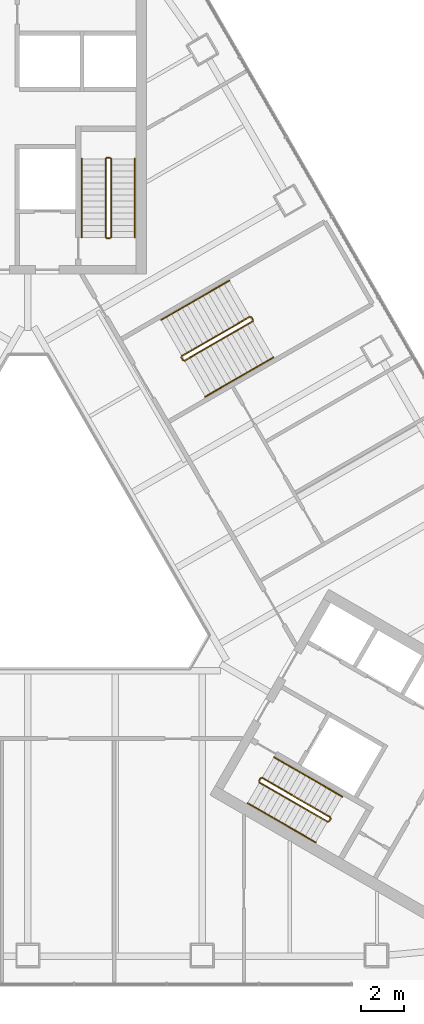
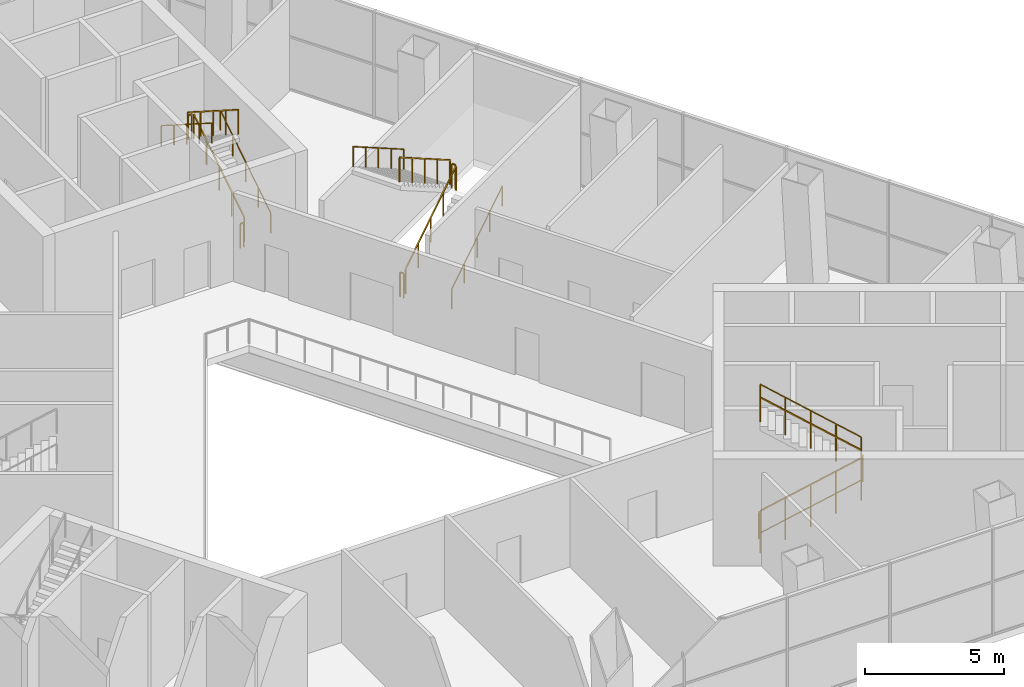
# One storey, part 13 of 13: 18 railings.
"""IFC4 building model written with IfcOpenShell, lengths in metres."""

from ifc_helpers import new_model, si_unit, direction, frame, origin, origin_2d, place, context, subcontext, project, spatial, rectangle, circle, extrude, material, type_object, element, save


model = new_model("IFC4")

# Units and contexts
model_context = context("Model", 3, precision=1e-05, world=origin(), true_north=direction((0.0, 1.0)))
body_context = subcontext(model_context, "Body", "Model", "MODEL_VIEW")
ifc_project = project(units=[si_unit("LENGTHUNIT", "METRE"), si_unit("AREAUNIT", "SQUARE_METRE"), si_unit("VOLUMEUNIT", "CUBIC_METRE"), si_unit("PLANEANGLEUNIT", "RADIAN"), si_unit("MASSUNIT", "GRAM", prefix="KILO")], contexts=[model_context])

# Site, building, storey
site_placement = place(None, origin())
site = spatial("IfcSite", under=ifc_project, at=site_placement, CompositionType="ELEMENT")
building_placement = place(site_placement, origin())
building = spatial("IfcBuilding", under=site, at=building_placement, Name="Apuvela Tower Hotel", CompositionType="ELEMENT")
storey_placement = place(building_placement, frame((0.0, 0.0, 23.5)))
storey = spatial("IfcBuildingStorey", under=building, at=storey_placement, Name="L03", CompositionType="ELEMENT", Elevation=23.5)

# Railings
ifc_material_1 = material(Name="Steel S275 balustrade", Category="steel")
railing_type_1 = type_object("IfcRailingType", Name="COR-GUARD-1100", PredefinedType="GUARDRAIL", material=ifc_material_1)
railing_1_placement = place(storey_placement, frame((3.85009765625, 14.60009765625, 0.178466796875)))
element("IfcRailing", 1, at=railing_1_placement, inside=storey, type_object=railing_type_1, Name="L03 ST1 stair guard 1", PredefinedType="GUARDRAIL", context=body_context, shape_type="SweptSolid", body=[
    extrude(rectangle(XDim=0.048095703125, YDim=0.048095703125, at=origin_2d()), frame((0.0, 0.0, 1.076171875), z_axis=(0.0, 0.843111507901, 0.53773877045), x_axis=(-1.0, 0.0, 0.0)), (0.0, 0.0, 1.0), 4.317138671875),
    extrude(rectangle(XDim=0.0419921875, YDim=0.0419921875, at=origin_2d()), origin(), (0.0, 0.0, 1.0), 1.052001953125),
    extrude(rectangle(XDim=0.0419921875, YDim=0.0419921875, at=origin_2d()), frame((0.0, 0.909912109375, 0.580322265625)), (0.0, 0.0, 1.0), 1.052001953125),
    extrude(rectangle(XDim=0.0419921875, YDim=0.0419921875, at=origin_2d()), frame((0.0, 1.81982421875, 1.16064453125)), (0.0, 0.0, 1.0), 1.052001953125),
    extrude(rectangle(XDim=0.0419921875, YDim=0.0419921875, at=origin_2d()), frame((0.0, 2.72998046875, 1.7412109375)), (0.0, 0.0, 1.0), 1.052001953125),
    extrude(rectangle(XDim=0.0419921875, YDim=0.0419921875, at=origin_2d()), frame((0.0, 3.639892578125, 2.321533203125)), (0.0, 0.0, 1.0), 1.052001953125),
])
railing_2_placement = place(storey_placement, frame((3.800048828125, 18.2900390625, 2.5)))
element("IfcRailing", 2, at=railing_2_placement, inside=storey, type_object=railing_type_1, Name="L03 ST1 stair guard 2", PredefinedType="GUARDRAIL", context=body_context, shape_type="SweptSolid", body=[
    extrude(rectangle(XDim=0.048095703125, YDim=0.048095703125, at=origin_2d()), frame((0.0, 0.0, 1.076171875), z_axis=(-1.0, 0.0, 0.0), x_axis=(0.0, -1.0, 0.0)), (0.0, 0.0, 1.0), 0.150146484375),
    extrude(rectangle(XDim=0.0419921875, YDim=0.0419921875, at=origin_2d()), origin(), (0.0, 0.0, 1.0), 1.052001953125),
    extrude(rectangle(XDim=0.0419921875, YDim=0.0419921875, at=origin_2d()), frame((-0.150146484375, 0.0, 0.0)), (0.0, 0.0, 1.0), 1.052001953125),
])
railing_3_placement = place(storey_placement, frame((3.60009765625, 18.239990234375, 2.678466796875)))
element("IfcRailing", 3, at=railing_3_placement, inside=storey, type_object=railing_type_1, Name="L03 ST1 stair guard 3", PredefinedType="GUARDRAIL", context=body_context, shape_type="SweptSolid", body=[
    extrude(rectangle(XDim=0.048095703125, YDim=0.048095703125, at=origin_2d()), frame((0.0, 0.0, 1.076171875), z_axis=(0.0, -0.843111507901, 0.53773877045), x_axis=(1.0, 0.0, 0.0)), (0.0, 0.0, 1.0), 4.317138671875),
    extrude(rectangle(XDim=0.0419921875, YDim=0.0419921875, at=origin_2d()), origin(), (0.0, 0.0, 1.0), 1.052001953125),
    extrude(rectangle(XDim=0.0419921875, YDim=0.0419921875, at=origin_2d()), frame((0.0, -0.909912109375, 0.580322265625)), (0.0, 0.0, 1.0), 1.052001953125),
    extrude(rectangle(XDim=0.0419921875, YDim=0.0419921875, at=origin_2d()), frame((0.0, -1.81982421875, 1.16064453125)), (0.0, 0.0, 1.0), 1.052001953125),
    extrude(rectangle(XDim=0.0419921875, YDim=0.0419921875, at=origin_2d()), frame((0.0, -2.72998046875, 1.7412109375)), (0.0, 0.0, 1.0), 1.052001953125),
    extrude(rectangle(XDim=0.0419921875, YDim=0.0419921875, at=origin_2d()), frame((0.0, -3.639892578125, 2.321533203125)), (0.0, 0.0, 1.0), 1.052001953125),
])
railing_4_placement = place(storey_placement, frame((3.800048828125, 14.550048828125, 0.0)))
element("IfcRailing", 4, at=railing_4_placement, inside=storey, type_object=railing_type_1, Name="L03 ST1 stair guard 4", PredefinedType="GUARDRAIL", context=body_context, shape_type="SweptSolid", body=[
    extrude(rectangle(XDim=0.048095703125, YDim=0.048095703125, at=origin_2d()), frame((0.0, 0.0, 1.076171875), z_axis=(-1.0, 0.0, 0.0), x_axis=(0.0, -1.0, 0.0)), (0.0, 0.0, 1.0), 0.150146484375),
    extrude(rectangle(XDim=0.0419921875, YDim=0.0419921875, at=origin_2d()), origin(), (0.0, 0.0, 1.0), 1.052001953125),
    extrude(rectangle(XDim=0.0419921875, YDim=0.0419921875, at=origin_2d()), frame((-0.150146484375, 0.0, 0.0)), (0.0, 0.0, 1.0), 1.052001953125),
])
railing_5_placement = place(storey_placement, frame((10.718994140625, -10.63427734375, 0.178466796875)))
element("IfcRailing", 5, at=railing_5_placement, inside=storey, type_object=railing_type_1, Name="L03 ST3 stair guard 1", PredefinedType="GUARDRAIL", context=body_context, shape_type="SweptSolid", body=[
    extrude(rectangle(XDim=0.048095703125, YDim=0.048095703125, at=origin_2d()), frame((0.0, 0.0, 1.076171875), z_axis=(0.730175966949, -0.421525066422, 0.537735693132), x_axis=(0.499962438169, 0.866047089031, 0.0)), (0.0, 0.0, 1.0), 4.317138671875),
    extrude(rectangle(XDim=0.0419921875, YDim=0.0419921875, at=origin_2d()), origin(), (0.0, 0.0, 1.0), 1.052001953125),
    extrude(rectangle(XDim=0.0419921875, YDim=0.0419921875, at=origin_2d()), frame((0.7880859375, -0.455078125, 0.580322265625)), (0.0, 0.0, 1.0), 1.052001953125),
    extrude(rectangle(XDim=0.0419921875, YDim=0.0419921875, at=origin_2d()), frame((1.576171875, -0.909912109375, 1.16064453125)), (0.0, 0.0, 1.0), 1.052001953125),
    extrude(rectangle(XDim=0.0419921875, YDim=0.0419921875, at=origin_2d()), frame((2.3642578125, -1.36474609375, 1.7412109375)), (0.0, 0.0, 1.0), 1.052001953125),
    extrude(rectangle(XDim=0.0419921875, YDim=0.0419921875, at=origin_2d()), frame((3.15234375, -1.81982421875, 2.321533203125)), (0.0, 0.0, 1.0), 1.052001953125),
])
railing_6_placement = place(storey_placement, frame((13.939697265625, -12.435791015625, 2.5)))
element("IfcRailing", 6, at=railing_6_placement, inside=storey, type_object=railing_type_1, Name="L03 ST3 stair guard 2", PredefinedType="GUARDRAIL", context=body_context, shape_type="SweptSolid", body=[
    extrude(rectangle(XDim=0.048095703125, YDim=0.048095703125, at=origin_2d()), frame((0.0, 0.0, 1.076171875), z_axis=(0.499816412211, 0.866131372301, 0.0), x_axis=(-0.866131372301, 0.499816412211, 0.0)), (0.0, 0.0, 1.0), 0.14990234375),
    extrude(rectangle(XDim=0.0419921875, YDim=0.0419921875, at=origin_2d()), origin(), (0.0, 0.0, 1.0), 1.052001953125),
    extrude(rectangle(XDim=0.0419921875, YDim=0.0419921875, at=origin_2d()), frame((0.074951171875, 0.1298828125, 0.0)), (0.0, 0.0, 1.0), 1.052001953125),
])
railing_7_placement = place(storey_placement, frame((13.996337890625, -12.23779296875, 2.678466796875)))
element("IfcRailing", 7, at=railing_7_placement, inside=storey, type_object=railing_type_1, Name="L03 ST3 stair guard 3", PredefinedType="GUARDRAIL", context=body_context, shape_type="SweptSolid", body=[
    extrude(rectangle(XDim=0.048095703125, YDim=0.048095703125, at=origin_2d()), frame((0.0, 0.0, 1.076171875), z_axis=(-0.730158560966, 0.421571566915, 0.537722874553), x_axis=(-0.500012742938, -0.866018046521, 0.0)), (0.0, 0.0, 1.0), 4.3173828125),
    extrude(rectangle(XDim=0.0419921875, YDim=0.0419921875, at=origin_2d()), origin(), (0.0, 0.0, 1.0), 1.052001953125),
    extrude(rectangle(XDim=0.0419921875, YDim=0.0419921875, at=origin_2d()), frame((-0.7880859375, 0.455078125, 0.580322265625)), (0.0, 0.0, 1.0), 1.052001953125),
    extrude(rectangle(XDim=0.0419921875, YDim=0.0419921875, at=origin_2d()), frame((-1.576171875, 0.91015625, 1.16064453125)), (0.0, 0.0, 1.0), 1.052001953125),
    extrude(rectangle(XDim=0.0419921875, YDim=0.0419921875, at=origin_2d()), frame((-2.3642578125, 1.364990234375, 1.7412109375)), (0.0, 0.0, 1.0), 1.052001953125),
    extrude(rectangle(XDim=0.0419921875, YDim=0.0419921875, at=origin_2d()), frame((-3.15234375, 1.820068359375, 2.321533203125)), (0.0, 0.0, 1.0), 1.052001953125),
])
railing_8_placement = place(storey_placement, frame((10.70068359375, -10.56591796875, 0.0)))
element("IfcRailing", 8, at=railing_8_placement, inside=storey, type_object=railing_type_1, Name="L03 ST3 stair guard 4", PredefinedType="GUARDRAIL", context=body_context, shape_type="SweptSolid", body=[
    extrude(rectangle(XDim=0.048095703125, YDim=0.048095703125, at=origin_2d()), frame((0.0, 0.0, 1.076171875), z_axis=(0.499816412211, 0.866131372301, 0.0), x_axis=(-0.866131372301, 0.499816412211, 0.0)), (0.0, 0.0, 1.0), 0.14990234375),
    extrude(rectangle(XDim=0.0419921875, YDim=0.0419921875, at=origin_2d()), origin(), (0.0, 0.0, 1.0), 1.052001953125),
    extrude(rectangle(XDim=0.0419921875, YDim=0.0419921875, at=origin_2d()), frame((0.074951171875, 0.1298828125, 0.0)), (0.0, 0.0, 1.0), 1.052001953125),
])
ifc_material_2 = material(Name="Stainless steel 316 handrail", Category="steel")
railing_type_2 = type_object("IfcRailingType", Name="COR-HANDRAIL-900", PredefinedType="HANDRAIL", material=ifc_material_2)
railing_9_placement = place(storey_placement, frame((4.949951171875, 14.60009765625, 0.178466796875)))
element("IfcRailing", 9, at=railing_9_placement, inside=storey, type_object=railing_type_2, Name="L03 ST1 stair handrail 1", PredefinedType="HANDRAIL", context=body_context, shape_type="SweptSolid", body=[
    extrude(circle(Radius=0.02392578125, at=origin_2d()), frame((0.0, 0.0, 0.8759765625), z_axis=(0.0, 0.843111507901, 0.53773877045), x_axis=(-1.0, 0.0, 0.0)), (0.0, 0.0, 1.0), 4.317138671875),
    extrude(rectangle(XDim=0.0419921875, YDim=0.0419921875, at=origin_2d()), origin(), (0.0, 0.0, 1.0), 0.851806640625),
    extrude(rectangle(XDim=0.0419921875, YDim=0.0419921875, at=origin_2d()), frame((0.0, 0.909912109375, 0.580322265625)), (0.0, 0.0, 1.0), 0.851806640625),
    extrude(rectangle(XDim=0.0419921875, YDim=0.0419921875, at=origin_2d()), frame((0.0, 1.81982421875, 1.16064453125)), (0.0, 0.0, 1.0), 0.851806640625),
    extrude(rectangle(XDim=0.0419921875, YDim=0.0419921875, at=origin_2d()), frame((0.0, 2.72998046875, 1.7412109375)), (0.0, 0.0, 1.0), 0.851806640625),
    extrude(rectangle(XDim=0.0419921875, YDim=0.0419921875, at=origin_2d()), frame((0.0, 3.639892578125, 2.321533203125)), (0.0, 0.0, 1.0), 0.851806640625),
])
railing_10_placement = place(storey_placement, frame((2.5, 18.239990234375, 2.678466796875)))
element("IfcRailing", 10, at=railing_10_placement, inside=storey, type_object=railing_type_2, Name="L03 ST1 stair handrail 2", PredefinedType="HANDRAIL", context=body_context, shape_type="SweptSolid", body=[
    extrude(circle(Radius=0.02392578125, at=origin_2d()), frame((0.0, 0.0, 0.8759765625), z_axis=(0.0, -0.843111507901, 0.53773877045), x_axis=(1.0, 0.0, 0.0)), (0.0, 0.0, 1.0), 4.317138671875),
    extrude(rectangle(XDim=0.0419921875, YDim=0.0419921875, at=origin_2d()), origin(), (0.0, 0.0, 1.0), 0.851806640625),
    extrude(rectangle(XDim=0.0419921875, YDim=0.0419921875, at=origin_2d()), frame((0.0, -0.909912109375, 0.580322265625)), (0.0, 0.0, 1.0), 0.851806640625),
    extrude(rectangle(XDim=0.0419921875, YDim=0.0419921875, at=origin_2d()), frame((0.0, -1.81982421875, 1.16064453125)), (0.0, 0.0, 1.0), 0.851806640625),
    extrude(rectangle(XDim=0.0419921875, YDim=0.0419921875, at=origin_2d()), frame((0.0, -2.72998046875, 1.7412109375)), (0.0, 0.0, 1.0), 0.851806640625),
    extrude(rectangle(XDim=0.0419921875, YDim=0.0419921875, at=origin_2d()), frame((0.0, -3.639892578125, 2.321533203125)), (0.0, 0.0, 1.0), 0.851806640625),
])
railing_11_placement = place(storey_placement, frame((10.1689453125, -11.5869140625, 0.178466796875)))
element("IfcRailing", 11, at=railing_11_placement, inside=storey, type_object=railing_type_2, Name="L03 ST3 stair handrail 1", PredefinedType="HANDRAIL", context=body_context, shape_type="SweptSolid", body=[
    extrude(circle(Radius=0.02392578125, at=origin_2d()), frame((0.0, 0.0, 0.8759765625), z_axis=(0.730175966949, -0.421525066422, 0.537735693132), x_axis=(0.499962438169, 0.866047089031, 0.0)), (0.0, 0.0, 1.0), 4.317138671875),
    extrude(rectangle(XDim=0.0419921875, YDim=0.0419921875, at=origin_2d()), origin(), (0.0, 0.0, 1.0), 0.851806640625),
    extrude(rectangle(XDim=0.0419921875, YDim=0.0419921875, at=origin_2d()), frame((0.7880859375, -0.455078125, 0.580322265625)), (0.0, 0.0, 1.0), 0.851806640625),
    extrude(rectangle(XDim=0.0419921875, YDim=0.0419921875, at=origin_2d()), frame((1.576171875, -0.909912109375, 1.16064453125)), (0.0, 0.0, 1.0), 0.851806640625),
    extrude(rectangle(XDim=0.0419921875, YDim=0.0419921875, at=origin_2d()), frame((2.3642578125, -1.36474609375, 1.7412109375)), (0.0, 0.0, 1.0), 0.851806640625),
    extrude(rectangle(XDim=0.0419921875, YDim=0.0419921875, at=origin_2d()), frame((3.15234375, -1.81982421875, 2.321533203125)), (0.0, 0.0, 1.0), 0.851806640625),
])
railing_12_placement = place(storey_placement, frame((14.54638671875, -11.28515625, 2.678466796875)))
element("IfcRailing", 12, at=railing_12_placement, inside=storey, type_object=railing_type_2, Name="L03 ST3 stair handrail 2", PredefinedType="HANDRAIL", context=body_context, shape_type="SweptSolid", body=[
    extrude(circle(Radius=0.02392578125, at=origin_2d()), frame((0.0, 0.0, 0.8759765625), z_axis=(-0.730158560966, 0.421571566915, 0.537722874553), x_axis=(-0.500012742938, -0.866018046521, 0.0)), (0.0, 0.0, 1.0), 4.3173828125),
    extrude(rectangle(XDim=0.0419921875, YDim=0.0419921875, at=origin_2d()), origin(), (0.0, 0.0, 1.0), 0.851806640625),
    extrude(rectangle(XDim=0.0419921875, YDim=0.0419921875, at=origin_2d()), frame((-0.7880859375, 0.455078125, 0.580322265625)), (0.0, 0.0, 1.0), 0.851806640625),
    extrude(rectangle(XDim=0.0419921875, YDim=0.0419921875, at=origin_2d()), frame((-1.576171875, 0.91015625, 1.16064453125)), (0.0, 0.0, 1.0), 0.851806640625),
    extrude(rectangle(XDim=0.0419921875, YDim=0.0419921875, at=origin_2d()), frame((-2.3642578125, 1.364990234375, 1.7412109375)), (0.0, 0.0, 1.0), 0.851806640625),
    extrude(rectangle(XDim=0.0419921875, YDim=0.0419921875, at=origin_2d()), frame((-3.15234375, 1.820068359375, 2.321533203125)), (0.0, 0.0, 1.0), 0.851806640625),
])
ifc_material_3 = material(Name="Steel S355 guard with laminated glass infill", Category="steel")
railing_type_3 = type_object("IfcRailingType", Name="SPC-GUARD-1100", PredefinedType="GUARDRAIL", material=ifc_material_3)
railing_13_placement = place(storey_placement, frame((7.250732421875, 8.8916015625, 0.178466796875)))
element("IfcRailing", 13, at=railing_13_placement, inside=storey, type_object=railing_type_3, Name="L03 PS1 stair guard 1", PredefinedType="GUARDRAIL", context=body_context, shape_type="SweptSolid", body=[
    extrude(rectangle(XDim=0.048095703125, YDim=0.048095703125, at=origin_2d()), frame((0.0, 0.0, 1.076171875), z_axis=(0.730158560966, 0.421571566915, 0.537722874553), x_axis=(-0.500012742938, 0.866018046521, 0.0)), (0.0, 0.0, 1.0), 4.3173828125),
    extrude(rectangle(XDim=0.0419921875, YDim=0.0419921875, at=origin_2d()), origin(), (0.0, 0.0, 1.0), 1.052001953125),
    extrude(rectangle(XDim=0.0419921875, YDim=0.0419921875, at=origin_2d()), frame((0.7880859375, 0.455078125, 0.580322265625)), (0.0, 0.0, 1.0), 1.052001953125),
    extrude(rectangle(XDim=0.0419921875, YDim=0.0419921875, at=origin_2d()), frame((1.576171875, 0.91015625, 1.16064453125)), (0.0, 0.0, 1.0), 1.052001953125),
    extrude(rectangle(XDim=0.0419921875, YDim=0.0419921875, at=origin_2d()), frame((2.3642578125, 1.364990234375, 1.7412109375)), (0.0, 0.0, 1.0), 1.052001953125),
    extrude(rectangle(XDim=0.0419921875, YDim=0.0419921875, at=origin_2d()), frame((3.15234375, 1.820068359375, 2.321533203125)), (0.0, 0.0, 1.0), 1.052001953125),
])
railing_14_placement = place(storey_placement, frame((10.421142578125, 10.77978515625, 2.5)))
element("IfcRailing", 14, at=railing_14_placement, inside=storey, type_object=railing_type_3, Name="L03 PS1 stair guard 2", PredefinedType="GUARDRAIL", context=body_context, shape_type="SweptSolid", body=[
    extrude(rectangle(XDim=0.048095703125, YDim=0.048095703125, at=origin_2d()), frame((0.0, 0.0, 1.076171875), z_axis=(-0.499816412211, 0.866131372301, 0.0), x_axis=(-0.866131372301, -0.499816412211, 0.0)), (0.0, 0.0, 1.0), 0.14990234375),
    extrude(rectangle(XDim=0.0419921875, YDim=0.0419921875, at=origin_2d()), origin(), (0.0, 0.0, 1.0), 1.052001953125),
    extrude(rectangle(XDim=0.0419921875, YDim=0.0419921875, at=origin_2d()), frame((-0.074951171875, 0.1298828125, 0.0)), (0.0, 0.0, 1.0), 1.052001953125),
])
railing_15_placement = place(storey_placement, frame((10.278076171875, 10.927978515625, 2.678466796875)))
element("IfcRailing", 15, at=railing_15_placement, inside=storey, type_object=railing_type_3, Name="L03 PS1 stair guard 3", PredefinedType="GUARDRAIL", context=body_context, shape_type="SweptSolid", body=[
    extrude(rectangle(XDim=0.048095703125, YDim=0.048095703125, at=origin_2d()), frame((0.0, 0.0, 1.076171875), z_axis=(-0.730175966949, -0.421525066422, 0.537735693132), x_axis=(0.499962438169, -0.866047089031, 0.0)), (0.0, 0.0, 1.0), 4.317138671875),
    extrude(rectangle(XDim=0.0419921875, YDim=0.0419921875, at=origin_2d()), origin(), (0.0, 0.0, 1.0), 1.052001953125),
    extrude(rectangle(XDim=0.0419921875, YDim=0.0419921875, at=origin_2d()), frame((-0.7880859375, -0.455078125, 0.580322265625)), (0.0, 0.0, 1.0), 1.052001953125),
    extrude(rectangle(XDim=0.0419921875, YDim=0.0419921875, at=origin_2d()), frame((-1.576171875, -0.909912109375, 1.16064453125)), (0.0, 0.0, 1.0), 1.052001953125),
    extrude(rectangle(XDim=0.0419921875, YDim=0.0419921875, at=origin_2d()), frame((-2.3642578125, -1.36474609375, 1.7412109375)), (0.0, 0.0, 1.0), 1.052001953125),
    extrude(rectangle(XDim=0.0419921875, YDim=0.0419921875, at=origin_2d()), frame((-3.15234375, -1.81982421875, 2.321533203125)), (0.0, 0.0, 1.0), 1.052001953125),
])
railing_16_placement = place(storey_placement, frame((7.182373046875, 8.909912109375, 0.0)))
element("IfcRailing", 16, at=railing_16_placement, inside=storey, type_object=railing_type_3, Name="L03 PS1 stair guard 4", PredefinedType="GUARDRAIL", context=body_context, shape_type="SweptSolid", body=[
    extrude(rectangle(XDim=0.048095703125, YDim=0.048095703125, at=origin_2d()), frame((0.0, 0.0, 1.076171875), z_axis=(-0.499816412211, 0.866131372301, 0.0), x_axis=(-0.866131372301, -0.499816412211, 0.0)), (0.0, 0.0, 1.0), 0.14990234375),
    extrude(rectangle(XDim=0.0419921875, YDim=0.0419921875, at=origin_2d()), origin(), (0.0, 0.0, 1.0), 1.052001953125),
    extrude(rectangle(XDim=0.0419921875, YDim=0.0419921875, at=origin_2d()), frame((-0.074951171875, 0.1298828125, 0.0)), (0.0, 0.0, 1.0), 1.052001953125),
])
ifc_material_4 = material(Name="Steel S355 tube handrail", Category="steel")
railing_type_4 = type_object("IfcRailingType", Name="SPC-HANDRAIL-900", PredefinedType="HANDRAIL", material=ifc_material_4)
railing_17_placement = place(storey_placement, frame((8.213134765625, 7.224365234375, 0.178466796875)))
element("IfcRailing", 17, at=railing_17_placement, inside=storey, type_object=railing_type_4, Name="L03 PS1 stair handrail 1", PredefinedType="HANDRAIL", context=body_context, shape_type="SweptSolid", body=[
    extrude(circle(Radius=0.02392578125, at=origin_2d()), frame((0.0, 0.0, 0.8759765625), z_axis=(0.730158560966, 0.421571566915, 0.537722874553), x_axis=(-0.500012742938, 0.866018046521, 0.0)), (0.0, 0.0, 1.0), 4.3173828125),
    extrude(rectangle(XDim=0.0419921875, YDim=0.0419921875, at=origin_2d()), origin(), (0.0, 0.0, 1.0), 0.851806640625),
    extrude(rectangle(XDim=0.0419921875, YDim=0.0419921875, at=origin_2d()), frame((0.7880859375, 0.455078125, 0.580322265625)), (0.0, 0.0, 1.0), 0.851806640625),
    extrude(rectangle(XDim=0.0419921875, YDim=0.0419921875, at=origin_2d()), frame((1.576171875, 0.91015625, 1.16064453125)), (0.0, 0.0, 1.0), 0.851806640625),
    extrude(rectangle(XDim=0.0419921875, YDim=0.0419921875, at=origin_2d()), frame((2.3642578125, 1.364990234375, 1.7412109375)), (0.0, 0.0, 1.0), 0.851806640625),
    extrude(rectangle(XDim=0.0419921875, YDim=0.0419921875, at=origin_2d()), frame((3.15234375, 1.820068359375, 2.321533203125)), (0.0, 0.0, 1.0), 0.851806640625),
])
railing_18_placement = place(storey_placement, frame((9.3154296875, 12.59521484375, 2.678466796875)))
element("IfcRailing", 18, at=railing_18_placement, inside=storey, type_object=railing_type_4, Name="L03 PS1 stair handrail 2", PredefinedType="HANDRAIL", context=body_context, shape_type="SweptSolid", body=[
    extrude(circle(Radius=0.02392578125, at=origin_2d()), frame((0.0, 0.0, 0.8759765625), z_axis=(-0.730158560966, -0.421571566915, 0.537722874553), x_axis=(0.500012742938, -0.866018046521, 0.0)), (0.0, 0.0, 1.0), 4.3173828125),
    extrude(rectangle(XDim=0.0419921875, YDim=0.0419921875, at=origin_2d()), origin(), (0.0, 0.0, 1.0), 0.851806640625),
    extrude(rectangle(XDim=0.0419921875, YDim=0.0419921875, at=origin_2d()), frame((-0.7880859375, -0.455078125, 0.580322265625)), (0.0, 0.0, 1.0), 0.851806640625),
    extrude(rectangle(XDim=0.0419921875, YDim=0.0419921875, at=origin_2d()), frame((-1.576171875, -0.91015625, 1.16064453125)), (0.0, 0.0, 1.0), 0.851806640625),
    extrude(rectangle(XDim=0.0419921875, YDim=0.0419921875, at=origin_2d()), frame((-2.3642578125, -1.364990234375, 1.7412109375)), (0.0, 0.0, 1.0), 0.851806640625),
    extrude(rectangle(XDim=0.0419921875, YDim=0.0419921875, at=origin_2d()), frame((-3.15234375, -1.820068359375, 2.321533203125)), (0.0, 0.0, 1.0), 0.851806640625),
])

save(model, "model.ifc")
